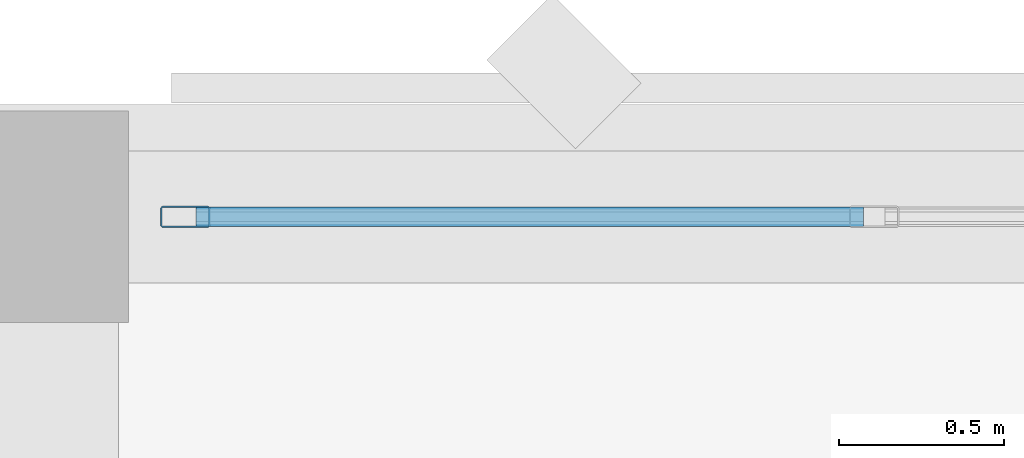
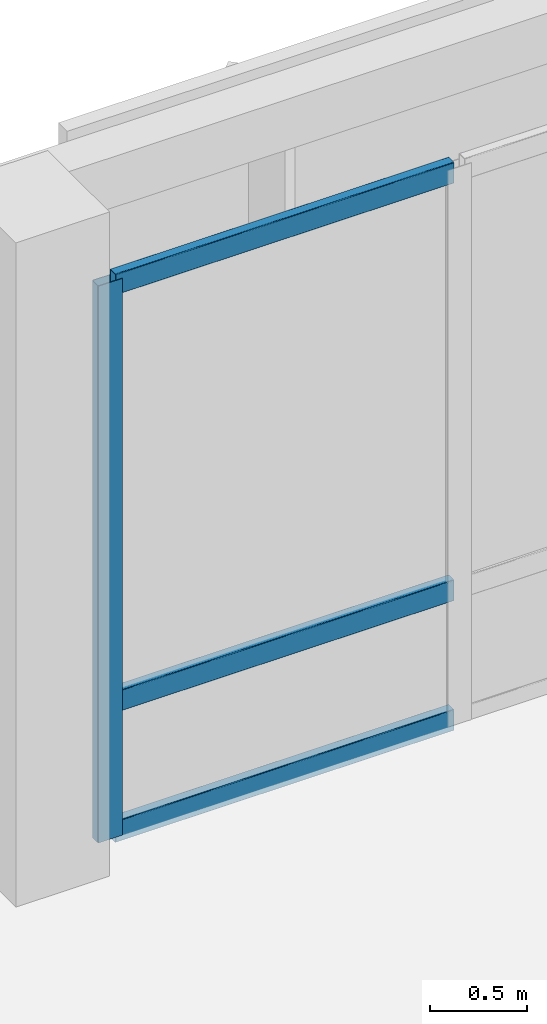
# One storey, part 115 of 158: 4 members, 1 element without a shape of its own.
"""IFC4 building model written with IfcOpenShell, lengths in metres."""

from ifc_helpers import new_model, si_unit, direction, frame, origin, origin_2d, place, context, subcontext, project, spatial, hollow_rectangle, extrude, material, material_profile, profile_set, type_object, element, aggregate, save


model = new_model("IFC4")

# Units and contexts
model_context = context("Model", 3, precision=1e-05, world=origin(), true_north=direction((0.0, 1.0)))
body_context = subcontext(model_context, "Body", "Model", "MODEL_VIEW")
ifc_project = project(units=[si_unit("LENGTHUNIT", "METRE"), si_unit("AREAUNIT", "SQUARE_METRE"), si_unit("VOLUMEUNIT", "CUBIC_METRE"), si_unit("PLANEANGLEUNIT", "RADIAN"), si_unit("MASSUNIT", "GRAM", prefix="KILO")], contexts=[model_context])

# Site, building, storey
site_placement = place(None, origin())
site = spatial("IfcSite", under=ifc_project, at=site_placement, CompositionType="ELEMENT")
building_placement = place(site_placement, origin())
building = spatial("IfcBuilding", under=site, at=building_placement, Name="Lusvemor Sports Hall", CompositionType="ELEMENT")
storey_placement = place(building_placement, frame((0.0, 0.0, 10.800048828125)))
storey = spatial("IfcBuildingStorey", under=building, at=storey_placement, Name="L02", CompositionType="ELEMENT", Elevation=10.800048828125)

# Curtain wall, members
ifc_material_1 = material(Name="Thermally broken bronze-anodized aluminium", Category="aluminium")
curtain_wall_type = type_object("IfcCurtainWallType", Name="CW_WING_B", PredefinedType="NOTDEFINED", material=ifc_material_1)
curtain_wall_placement = place(storey_placement, origin())
curtain_wall = element("IfcCurtainWall", 1, at=curtain_wall_placement, inside=storey, type_object=curtain_wall_type, Name="Curtain Wall CW-L02-N-1-17", PredefinedType="NOTDEFINED")
ifc_material_2 = material(Name="Thermally broken bronze-anodized aluminium", Category="aluminium")
ifc_material_profile_1 = material_profile(ifc_material_2, hollow_rectangle(XDim=0.06494140625, YDim=0.14990234375, WallThickness=0.00390625, InnerFilletRadius=0.00390625, OuterFilletRadius=0.008056640625, at=origin_2d()), Name="CWMUL150x65x4")
ifc_profile_set_1 = profile_set([ifc_material_profile_1], Name="Thermally broken bronze-anodized aluminium")
member_type_1 = type_object("IfcMemberType", Name="CW_MUL_B", PredefinedType="MULLION", material=ifc_profile_set_1)
member_1_placement = place(storey_placement, frame((155.25244140625, 115.199951171875, 0.0), z_axis=(0.0, 0.0, 1.0), x_axis=(0.0, 1.0, 0.0)))
member_1 = element("IfcMember", 2, at=member_1_placement, type_object=member_type_1, Name="CW02 mullion 1", PredefinedType="MULLION", context=body_context, shape_type="SweptSolid", body=[
    extrude(hollow_rectangle(XDim=0.06494140625, YDim=0.14990234375, WallThickness=0.00390625, InnerFilletRadius=0.00390625, OuterFilletRadius=0.008056640625, at=origin_2d()), origin(), (0.0, 0.0, 1.0), 3.52001953125),
])
ifc_material_3 = material(Name="Thermally broken bronze-anodized aluminium", Category="aluminium")
ifc_material_profile_2 = material_profile(ifc_material_3, hollow_rectangle(XDim=0.06005859375, YDim=0.135009765625, WallThickness=0.00390625, InnerFilletRadius=0.00390625, OuterFilletRadius=0.008056640625, at=origin_2d()), Name="CWTRN135x60x4")
ifc_profile_set_2 = profile_set([ifc_material_profile_2], Name="Thermally broken bronze-anodized aluminium")
member_type_2 = type_object("IfcMemberType", Name="CW_TRN_B", PredefinedType="USERDEFINED", material=ifc_profile_set_2)
member_2_placement = place(storey_placement, frame((155.284912109375, 115.199951171875, 0.030029296875), z_axis=(1.0, 0.0, 0.0), x_axis=(0.0, 1.0, 0.0)))
member_2 = element("IfcMember", 3, at=member_2_placement, type_object=member_type_2, Name="CW02 transom 1.1", ObjectType="TRANSOM", PredefinedType="USERDEFINED", context=body_context, shape_type="SweptSolid", body=[
    extrude(hollow_rectangle(XDim=0.06005859375, YDim=0.135009765625, WallThickness=0.00390625, InnerFilletRadius=0.00390625, OuterFilletRadius=0.008056640625, at=origin_2d()), origin(), (0.0, 0.0, 1.0), 2.022705078125),
])
member_3_placement = place(storey_placement, frame((155.284912109375, 115.199951171875, 0.849853515625), z_axis=(1.0, 0.0, 0.0), x_axis=(0.0, 1.0, 0.0)))
member_3 = element("IfcMember", 4, at=member_3_placement, type_object=member_type_2, Name="CW02 transom 1.2", ObjectType="TRANSOM", PredefinedType="USERDEFINED", context=body_context, shape_type="SweptSolid", body=[
    extrude(hollow_rectangle(XDim=0.06005859375, YDim=0.135009765625, WallThickness=0.00390625, InnerFilletRadius=0.00390625, OuterFilletRadius=0.008056640625, at=origin_2d()), origin(), (0.0, 0.0, 1.0), 2.022705078125),
])
member_4_placement = place(storey_placement, frame((155.284912109375, 115.199951171875, 3.489990234375), z_axis=(1.0, 0.0, 0.0), x_axis=(0.0, 1.0, 0.0)))
member_4 = element("IfcMember", 5, at=member_4_placement, type_object=member_type_2, Name="CW02 transom 1.3", ObjectType="TRANSOM", PredefinedType="USERDEFINED", context=body_context, shape_type="SweptSolid", body=[
    extrude(hollow_rectangle(XDim=0.06005859375, YDim=0.135009765625, WallThickness=0.00390625, InnerFilletRadius=0.00390625, OuterFilletRadius=0.008056640625, at=origin_2d()), origin(), (0.0, 0.0, 1.0), 2.022705078125),
])
aggregate(curtain_wall, [member_1, member_2, member_3, member_4])

save(model, "model.ifc")
